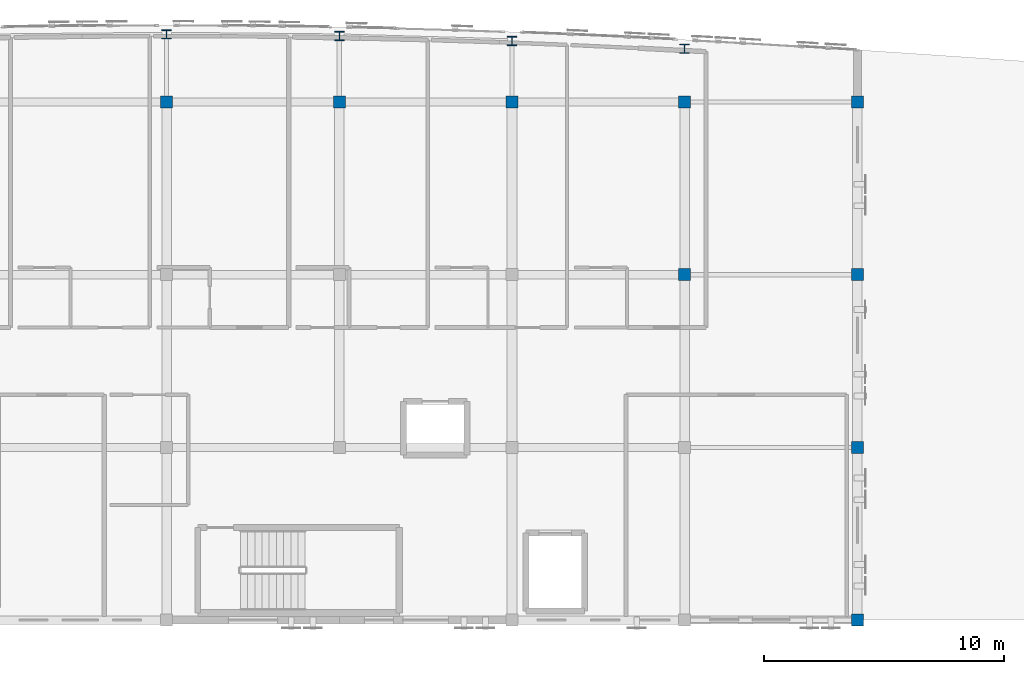
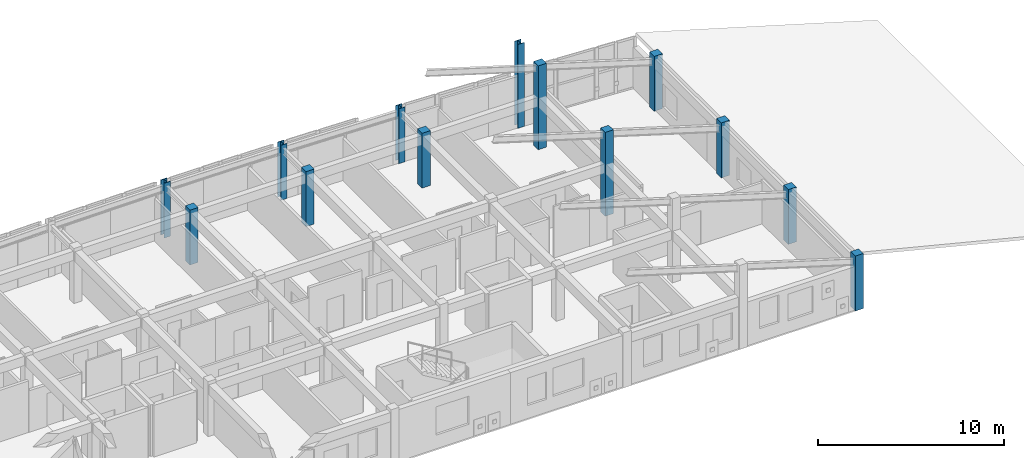
# One storey, part 3 of 34: 13 columns.
"""IFC4 building model written with IfcOpenShell, lengths in metres."""

from ifc_helpers import new_model, si_unit, direction, frame, origin, origin_2d, place, context, subcontext, project, spatial, rectangle, i_section, extrude, material, material_profile, profile_set, type_object, element, save


model = new_model("IFC4")

# Units and contexts
model_context = context("Model", 3, precision=1e-05, world=origin(), true_north=direction((0.0, 1.0)))
body_context = subcontext(model_context, "Body", "Model", "MODEL_VIEW")
ifc_project = project(units=[si_unit("LENGTHUNIT", "METRE"), si_unit("AREAUNIT", "SQUARE_METRE"), si_unit("VOLUMEUNIT", "CUBIC_METRE"), si_unit("PLANEANGLEUNIT", "RADIAN"), si_unit("MASSUNIT", "GRAM", prefix="KILO")], contexts=[model_context])

# Site, building, storey
site_placement = place(None, origin())
site = spatial("IfcSite", under=ifc_project, at=site_placement, CompositionType="ELEMENT")
building_placement = place(site_placement, origin())
building = spatial("IfcBuilding", under=site, at=building_placement, Name="Carrowvane Square Congress Hotel", CompositionType="ELEMENT")
storey_placement = place(building_placement, frame((0.0, 0.0, 40.800048828125)))
storey = spatial("IfcBuildingStorey", under=building, at=storey_placement, Name="L10", CompositionType="ELEMENT", Elevation=40.800048828125)

# Columns
ifc_material_1 = material(Name="Concrete C40/50", Category="concrete")
ifc_material_profile_1 = material_profile(ifc_material_1, rectangle(XDim=0.5, YDim=0.5, at=origin_2d()), Name="RC 500x500")
ifc_profile_set_1 = profile_set([ifc_material_profile_1], Name="Concrete C40/50")
column_type_1 = type_object("IfcColumnType", Name="COL-RC-500", PredefinedType="COLUMN", material=ifc_profile_set_1)
for number, where, z_axis, x_axis, name in (
    (1, (98.0, 113.39990234375, 0.0), (0.0, 0.0, 1.0), (1.0, 0.0, 0.0), "L10 column 13/R"),
    (2, (105.199951171875, 113.39990234375, 0.0), (0.0, 0.0, 1.0), (1.0, 0.0, 0.0), "L10 column 14/R"),
    (3, (112.39990234375, 113.39990234375, 0.0), (0.0, 0.0, 1.0), (1.0, 0.0, 0.0), "L10 column 15/R"),
):
    element("IfcColumn", number, at=place(storey_placement, frame(where, z_axis=z_axis, x_axis=x_axis)), inside=storey, type_object=column_type_1, Name=name, PredefinedType="COLUMN", context=body_context, shape_type="SweptSolid", body=[
        extrude(rectangle(XDim=0.5, YDim=0.5, at=origin_2d()), origin(), (0.0, 0.0, 1.0), 3.599853515625),
    ])
for number, where, z_axis, x_axis, name in (
    (4, (119.60009765625, 106.199951171875, 0.0), (0.0, 0.0, 1.0), (1.0, 0.0, 0.0), "L10 column 16/Q"),
    (5, (119.60009765625, 113.39990234375, 0.0), (0.0, 0.0, 1.0), (1.0, 0.0, 0.0), "L10 column 16/R"),
):
    element("IfcColumn", number, at=place(storey_placement, frame(where, z_axis=z_axis, x_axis=x_axis)), inside=storey, type_object=column_type_1, Name=name, PredefinedType="COLUMN", context=body_context, shape_type="SweptSolid", body=[
        extrude(rectangle(XDim=0.5, YDim=0.5, at=origin_2d()), origin(), (0.0, 0.0, 1.0), 5.5),
    ])
for number, where, z_axis, x_axis, name in (
    (6, (126.800048828125, 91.800048828125, 0.0), (0.0, 0.0, 1.0), (1.0, 0.0, 0.0), "L10 column 17/N"),
    (7, (126.800048828125, 99.0, 0.0), (0.0, 0.0, 1.0), (1.0, 0.0, 0.0), "L10 column 17/P"),
    (8, (126.800048828125, 106.199951171875, 0.0), (0.0, 0.0, 1.0), (1.0, 0.0, 0.0), "L10 column 17/Q"),
    (9, (126.800048828125, 113.39990234375, 0.0), (0.0, 0.0, 1.0), (1.0, 0.0, 0.0), "L10 column 17/R"),
):
    element("IfcColumn", number, at=place(storey_placement, frame(where, z_axis=z_axis, x_axis=x_axis)), inside=storey, type_object=column_type_1, Name=name, PredefinedType="COLUMN", context=body_context, shape_type="SweptSolid", body=[
        extrude(rectangle(XDim=0.5, YDim=0.5, at=origin_2d()), origin(), (0.0, 0.0, 1.0), 3.599853515625),
    ])
ifc_material_2 = material(Name="Steel S355", Category="steel")
ifc_material_profile_2 = material_profile(ifc_material_2, i_section(OverallWidth=0.394775390625, OverallDepth=0.381103515625, WebThickness=0.018310546875, FlangeThickness=0.0302734375, FilletRadius=0.01513671875, at=origin_2d()), Name="UKC 356x406x235")
ifc_profile_set_2 = profile_set([ifc_material_profile_2], Name="Steel S355")
column_type_2 = type_object("IfcColumnType", Name="COL-ST-UKC406", PredefinedType="COLUMN", material=ifc_profile_set_2)
for number, where, z_axis, x_axis, name in (
    (10, (98.0, 116.219970703125, 0.0), (0.0, 0.0, 1.0), (1.0, 0.0, 0.0), "L10 column 13/ARC"),
    (11, (105.199951171875, 116.14990234375, 0.0), (0.0, 0.0, 1.0), (1.0, 0.0, 0.0), "L10 column 14/ARC"),
    (12, (112.39990234375, 115.944091796875, 0.0), (0.0, 0.0, 1.0), (1.0, 0.0, 0.0), "L10 column 15/ARC"),
):
    element("IfcColumn", number, at=place(storey_placement, frame(where, z_axis=z_axis, x_axis=x_axis)), inside=storey, type_object=column_type_2, Name=name, PredefinedType="COLUMN", context=body_context, shape_type="SweptSolid", body=[
        extrude(i_section(OverallWidth=0.394775390625, OverallDepth=0.381103515625, WebThickness=0.018310546875, FlangeThickness=0.0302734375, FilletRadius=0.01513671875, at=origin_2d()), origin(), (0.0, 0.0, 1.0), 3.599853515625),
    ])
column_placement = place(storey_placement, frame((119.60009765625, 115.61767578125, 0.0), z_axis=(0.0, 0.0, 1.0), x_axis=(1.0, 0.0, 0.0)))
element("IfcColumn", 13, at=column_placement, inside=storey, type_object=column_type_2, Name="L10 column 16/ARC", PredefinedType="COLUMN", context=body_context, shape_type="SweptSolid", body=[
    extrude(i_section(OverallWidth=0.394775390625, OverallDepth=0.381103515625, WebThickness=0.018310546875, FlangeThickness=0.0302734375, FilletRadius=0.01513671875, at=origin_2d()), origin(), (0.0, 0.0, 1.0), 5.5),
])

save(model, "model.ifc")
